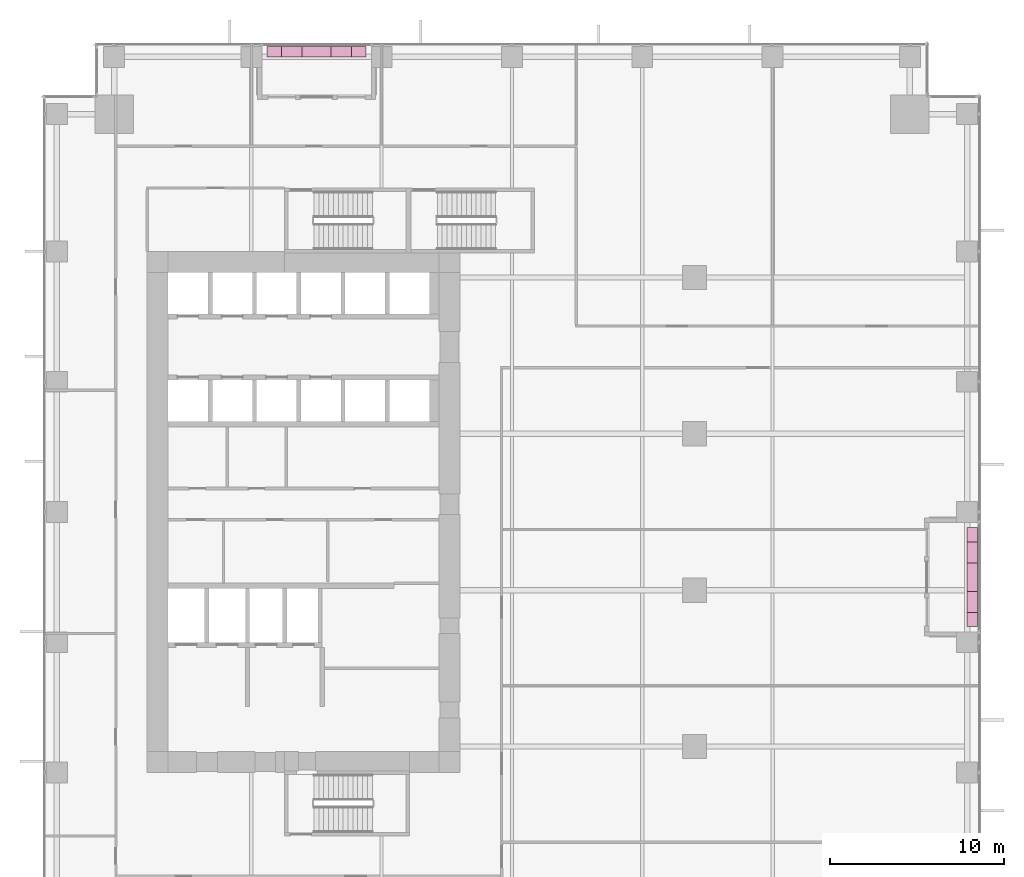
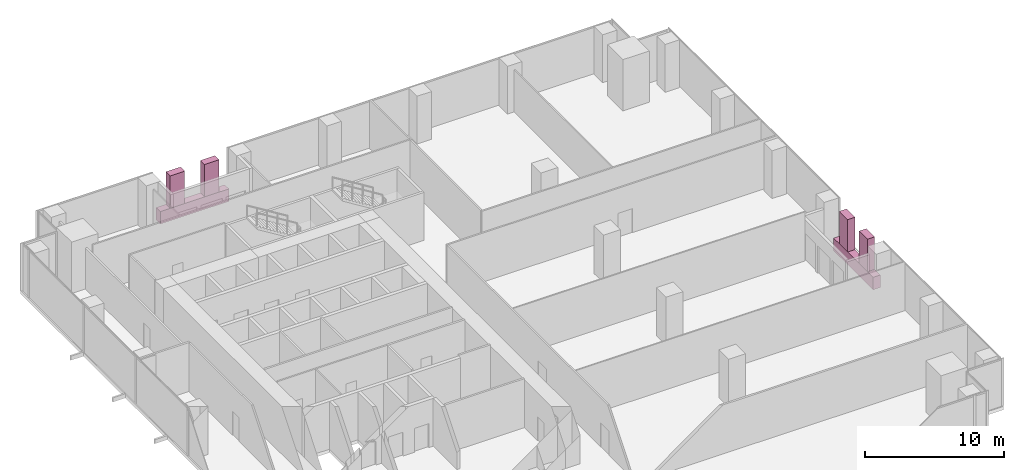
# One storey, part 32 of 32: 6 furnishings.
"""IFC4 building model written with IfcOpenShell, lengths in metres."""

import ifcopenshell
import ifcopenshell.guid

model = None  # the IFC model being written
_history = None  # IfcOwnerHistory: only IFC2X3 demands one
_inside = {}  # id of a spatial element -> (the spatial element, [elements in it])
_under = {}  # id of a project, library or spatial element -> (it, [spatial elements below it])
_declared = {}  # id of a project -> (the project, [libraries it declares])
_typed = {}  # id of a type object -> (the type object, [elements of that type])
_made_of = {}  # id of a material, layer set ... -> (it, [elements and type objects made of it])


def new_model(schema):
    """Start an empty IFC model of exactly this schema.

    Asked for "IFC4X3", IfcOpenShell would pick the latest addendum, in which some entities
    have other attributes; the version numbers below select the first issue.
    IFC2X3 requires an IfcOwnerHistory on every rooted entity: one is made here for all.
    """
    global model, _history
    if schema == "IFC4X3":
        model = ifcopenshell.file(schema_version=(4, 3, 0, 0))
    else:
        model = ifcopenshell.file(schema=schema)
    _inside.clear()
    _under.clear()
    _declared.clear()
    _typed.clear()
    _made_of.clear()
    _history = None
    if model.schema == "IFC2X3":
        org = make("IfcOrganization", Name="unknown")
        user = make(
            "IfcPersonAndOrganization",
            ThePerson=make("IfcPerson", FamilyName="unknown"),
            TheOrganization=org,
        )
        app = make(
            "IfcApplication",
            ApplicationDeveloper=org,
            Version="unknown",
            ApplicationFullName="unknown",
            ApplicationIdentifier="unknown",
        )
        _history = make(
            "IfcOwnerHistory",
            OwningUser=user,
            OwningApplication=app,
            ChangeAction="ADDED",
            CreationDate=0,
        )
    return model


def make(cls, **values):
    """One entity of the class cls with the attributes given. An attribute that is None is left unset."""
    return model.create_entity(
        cls, **{name: value for name, value in values.items() if value is not None}
    )


def rooted(cls, **values):
    """An entity with a GlobalId (a new one), such as an element, a storey or a relation."""
    return make(cls, GlobalId=ifcopenshell.guid.new(), OwnerHistory=_history, **values)


def si_unit(unit_type, name, prefix=None):
    """IfcSIUnit, for example si_unit("LENGTHUNIT", "METRE", prefix="MILLI")."""
    return make("IfcSIUnit", UnitType=unit_type, Prefix=prefix, Name=name)


def assignment(units):
    """IfcUnitAssignment: the units of a project."""
    return None if units is None else make("IfcUnitAssignment", Units=units)


def point(xyz):
    """IfcCartesianPoint."""
    return None if xyz is None else make("IfcCartesianPoint", Coordinates=xyz)


def direction(xyz):
    """IfcDirection."""
    return None if xyz is None else make("IfcDirection", DirectionRatios=xyz)


def frame(location, z_axis=None, x_axis=None):
    """IfcAxis2Placement3D, a coordinate frame: its origin and axes. An axis left out is left unset."""
    return make(
        "IfcAxis2Placement3D",
        Location=point(location),
        Axis=direction(z_axis),
        RefDirection=direction(x_axis),
    )


def frame_2d(location, x_axis=None):
    """IfcAxis2Placement2D, a coordinate frame in the plane: its origin and x axis."""
    return make(
        "IfcAxis2Placement2D", Location=point(location), RefDirection=direction(x_axis)
    )


def origin():
    """The frame at (0, 0, 0) with its axes left unset."""
    return frame((0.0, 0.0, 0.0))


def origin_2d():
    """The frame at (0, 0) in the plane with its x axis left unset."""
    return frame_2d((0.0, 0.0))


def place(relative_to, where):
    """IfcLocalPlacement: puts the frame where relative to a parent placement (None: the world)."""
    return make(
        "IfcLocalPlacement", PlacementRelTo=relative_to, RelativePlacement=where
    )


def context(
    kind, dimensions, precision=None, world=None, true_north=None, identifier=None
):
    """IfcGeometricRepresentationContext, for example the 3D "Model" context."""
    return make(
        "IfcGeometricRepresentationContext",
        ContextIdentifier=identifier,
        ContextType=kind,
        CoordinateSpaceDimension=dimensions,
        Precision=precision,
        WorldCoordinateSystem=world,
        TrueNorth=true_north,
    )


def subcontext(parent, identifier, kind, view, scale=None):
    """IfcGeometricRepresentationSubContext, for example "Body" below "Model"."""
    return make(
        "IfcGeometricRepresentationSubContext",
        ContextIdentifier=identifier,
        ContextType=kind,
        ParentContext=parent,
        TargetScale=scale,
        TargetView=view,
    )


def project(units=None, contexts=None):
    """IfcProject with its units and contexts."""
    return rooted(
        "IfcProject",
        Name="project",
        RepresentationContexts=contexts,
        UnitsInContext=assignment(units),
    )


def spatial(cls, under=None, at=None, **own):
    """A site, building, storey or space (cls), placed at a placement, below another one or the project."""
    s = rooted(cls, ObjectPlacement=at, **own)
    if under is not None:
        _under.setdefault(under.id(), (under, []))[1].append(s)
    return s


def profile(cls, at=None, kind="AREA", **sizes):
    """A parametric profile (cls). Its sizes go by their IFC names, for example OverallWidth=200.0."""
    return make(cls, ProfileType=kind, Position=at, **sizes)


def rectangle(**sizes):
    """IfcRectangleProfileDef."""
    return profile("IfcRectangleProfileDef", **sizes)


def extrude(swept, where, along, depth):
    """IfcExtrudedAreaSolid: the profile swept, set in the frame where, extruded along a direction by depth."""
    return make(
        "IfcExtrudedAreaSolid",
        SweptArea=swept,
        Position=where,
        ExtrudedDirection=direction(along),
        Depth=depth,
    )


def shape(context_of_items, identifier, shape_type, items):
    """IfcShapeRepresentation: the items that make up one representation, for example the "Body"."""
    return make(
        "IfcShapeRepresentation",
        ContextOfItems=context_of_items,
        RepresentationIdentifier=identifier,
        RepresentationType=shape_type,
        Items=items,
    )


def source(mapping_origin, context_of_items, identifier, shape_type, items):
    """IfcRepresentationMap: a shape defined once, which mapped items show again and again."""
    return make(
        "IfcRepresentationMap",
        MappingOrigin=mapping_origin,
        MappedRepresentation=shape(context_of_items, identifier, shape_type, items),
    )


def transform(
    local_origin,
    x_axis=None,
    y_axis=None,
    z_axis=None,
    scale=None,
    scale2=None,
    scale3=None,
    uniform=True,
):
    """IfcCartesianTransformationOperator3D, or its non-uniform kind. x_axis, y_axis, z_axis: its Axis1, 2, 3."""
    if uniform:
        return make(
            "IfcCartesianTransformationOperator3D",
            Axis1=direction(x_axis),
            Axis2=direction(y_axis),
            LocalOrigin=point(local_origin),
            Scale=scale,
            Axis3=direction(z_axis),
        )
    return make(
        "IfcCartesianTransformationOperator3DnonUniform",
        Axis1=direction(x_axis),
        Axis2=direction(y_axis),
        LocalOrigin=point(local_origin),
        Scale=scale,
        Axis3=direction(z_axis),
        Scale2=scale2,
        Scale3=scale3,
    )


def mapped(mapping_source, mapping_target):
    """IfcMappedItem: shows the shape of a source again, moved by a transform."""
    return make(
        "IfcMappedItem", MappingSource=mapping_source, MappingTarget=mapping_target
    )


def material(Name=None, Category=None):
    """IfcMaterial."""
    return make("IfcMaterial", Name=Name, Category=Category)


def made_of(thing, what):
    """Note that an element or type object is made of a material, layer set ...; save() writes the relation."""
    if what is not None:
        _made_of.setdefault(what.id(), (what, []))[1].append(thing)
    return thing


def type_object(cls, material=None, **own):
    """A type object (cls), such as IfcWallType, which elements share."""
    return made_of(rooted(cls, **own), material)


def element(
    cls,
    number,
    at=None,
    inside=None,
    cuts=None,
    type_object=None,
    material=None,
    context=None,
    identifier="Body",
    shape_type=None,
    held_by="IfcProductDefinitionShape",
    body=None,
    shapes=None,
    **own,
):
    """One element of the class cls, such as IfcWall. Its Tag is "e" and its number.

    at: its placement. inside: the storey or other place that contains it. cuts: it is an
    opening in that element (IfcRelVoidsElement). A single representation is given by context,
    identifier, shape_type and body (its items); several are given by shapes. held_by: the class
    of the entity that holds the representations. save() writes the other relations.
    """
    e = rooted(cls, Tag="e%d" % number, ObjectPlacement=at, **own)
    if body is not None:
        shapes = [shape(context, identifier, shape_type, body)]
    if shapes is not None:
        e.Representation = make(held_by, Representations=shapes)
    if inside is not None:
        _inside.setdefault(inside.id(), (inside, []))[1].append(e)
    if cuts is not None:
        rooted(
            "IfcRelVoidsElement", RelatingBuildingElement=cuts, RelatedOpeningElement=e
        )
    if type_object is not None:
        _typed.setdefault(type_object.id(), (type_object, []))[1].append(e)
    return made_of(e, material)


def aggregate(whole, parts):
    """IfcRelAggregates: a whole, such as a stair, and the parts it consists of."""
    return rooted("IfcRelAggregates", RelatingObject=whole, RelatedObjects=parts)


def save(model, path):
    """Write the relations noted so far, then the file.

    IfcRelAggregates (storeys below a building ...), IfcRelContainedInSpatialStructure (elements
    in a storey), IfcRelDefinesByType, IfcRelAssociatesMaterial and IfcRelDeclares: one each for
    every whole, place, type object, material and project.
    """
    for whole, parts in _under.values():
        aggregate(whole, parts)
    for where, things in _inside.values():
        rooted(
            "IfcRelContainedInSpatialStructure",
            RelatedElements=things,
            RelatingStructure=where,
        )
    for kind, things in _typed.values():
        rooted("IfcRelDefinesByType", RelatedObjects=things, RelatingType=kind)
    for what, things in _made_of.values():
        rooted("IfcRelAssociatesMaterial", RelatedObjects=things, RelatingMaterial=what)
    for by, libraries in _declared.values():
        rooted("IfcRelDeclares", RelatingContext=by, RelatedDefinitions=libraries)
    model.write(path)


model = new_model("IFC4")

# Units and contexts
model_context = context("Model", 3, precision=1e-05, world=origin(), true_north=direction((0.0, 1.0)))
body_context = subcontext(model_context, "Body", "Model", "MODEL_VIEW")
ifc_project = project(units=[si_unit("LENGTHUNIT", "METRE"), si_unit("AREAUNIT", "SQUARE_METRE"), si_unit("VOLUMEUNIT", "CUBIC_METRE"), si_unit("PLANEANGLEUNIT", "RADIAN"), si_unit("MASSUNIT", "GRAM", prefix="KILO")], contexts=[model_context])

# Site, building, storey
site_placement = place(None, origin())
site = spatial("IfcSite", under=ifc_project, at=site_placement, CompositionType="ELEMENT")
building_placement = place(site_placement, origin())
building = spatial("IfcBuilding", under=site, at=building_placement, Name="Khomas Fold Tower", CompositionType="ELEMENT")
storey_placement = place(building_placement, frame((0.0, 0.0, 42.0)))
storey = spatial("IfcBuildingStorey", under=building, at=storey_placement, Name="L08", CompositionType="ELEMENT", Elevation=42.0)

# Furnishings
ifc_material_1 = material(Name="Precast concrete C40/50", Category="concrete")
furnishing_element_type_1 = type_object("IfcFurnishingElementType", Name="BL-Structural planter box", material=ifc_material_1)
shared_shape_1 = source(origin(), body_context, "Body", "SweptSolid", [
    extrude(rectangle(XDim=5.699951171875, YDim=0.60009765625, at=origin_2d()), origin(), (0.0, 0.0, 1.0), 1.10009765625),
])
for number, where, z_axis, x_axis, name in (
    (1, (15.75, 53.5, -0.045166015625), (0.0, 0.0, 1.0), (1.0, 0.0, 0.0), "PLANTER BAL-L08-N1"),
    (2, (53.5, 23.25, -0.045166015625), (0.0, 0.0, 1.0), (0.0, 1.0, 0.0), "PLANTER BAL-L08-E2"),
):
    element("IfcFurnishingElement", number, at=place(storey_placement, frame(where, z_axis=z_axis, x_axis=x_axis)), inside=storey, type_object=furnishing_element_type_1, Name=name, context=body_context, shape_type="MappedRepresentation", body=[
        mapped(shared_shape_1, transform((0.0, 0.0, 0.0))),
    ])
ifc_material_2 = material(Name="Planting")
furnishing_element_type_2 = type_object("IfcFurnishingElementType", Name="BL-Tree Wild olive", material=ifc_material_2)
shared_shape_2 = source(origin(), body_context, "Body", "SweptSolid", [
    extrude(rectangle(XDim=1.199951171875, YDim=0.60009765625, at=origin_2d()), origin(), (0.0, 0.0, 1.0), 2.844970703125),
])
furnishing_1_placement = place(storey_placement, frame((14.324951171875, 53.5, 1.05517578125), z_axis=(0.0, 0.0, 1.0), x_axis=(1.0, 0.0, 0.0)))
element("IfcFurnishingElement", 3, at=furnishing_1_placement, inside=storey, type_object=furnishing_element_type_2, Name="PLANTER (TREE) Wild olive BAL-L08-N1-1", context=body_context, shape_type="MappedRepresentation", body=[
    mapped(shared_shape_2, transform((0.0, 0.0, 0.0))),
])
ifc_material_3 = material(Name="Planting")
furnishing_element_type_3 = type_object("IfcFurnishingElementType", Name="BL-Tree Shepherd's tree", material=ifc_material_3)
furnishing_2_placement = place(storey_placement, frame((17.175048828125, 53.5, 1.05517578125), z_axis=(0.0, 0.0, 1.0), x_axis=(1.0, 0.0, 0.0)))
element("IfcFurnishingElement", 4, at=furnishing_2_placement, inside=storey, type_object=furnishing_element_type_3, Name="PLANTER (TREE) Shepherd's tree BAL-L08-N1-2", context=body_context, shape_type="MappedRepresentation", body=[
    mapped(shared_shape_2, transform((0.0, 0.0, 0.0))),
])
furnishing_3_placement = place(storey_placement, frame((53.5, 21.824951171875, 1.05517578125), z_axis=(0.0, 0.0, 1.0), x_axis=(0.0, 1.0, 0.0)))
element("IfcFurnishingElement", 5, at=furnishing_3_placement, inside=storey, type_object=furnishing_element_type_2, Name="PLANTER (TREE) Wild olive BAL-L08-E2-1", context=body_context, shape_type="MappedRepresentation", body=[
    mapped(shared_shape_2, transform((0.0, 0.0, 0.0))),
])
furnishing_4_placement = place(storey_placement, frame((53.5, 24.675048828125, 1.05517578125), z_axis=(0.0, 0.0, 1.0), x_axis=(0.0, 1.0, 0.0)))
element("IfcFurnishingElement", 6, at=furnishing_4_placement, inside=storey, type_object=furnishing_element_type_3, Name="PLANTER (TREE) Shepherd's tree BAL-L08-E2-2", context=body_context, shape_type="MappedRepresentation", body=[
    mapped(shared_shape_2, transform((0.0, 0.0, 0.0))),
])

save(model, "model.ifc")
